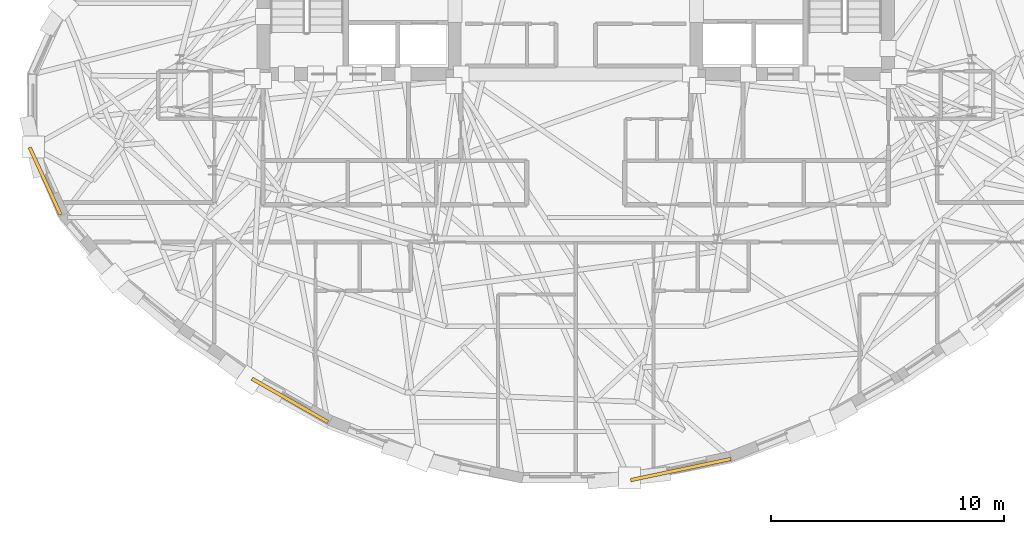
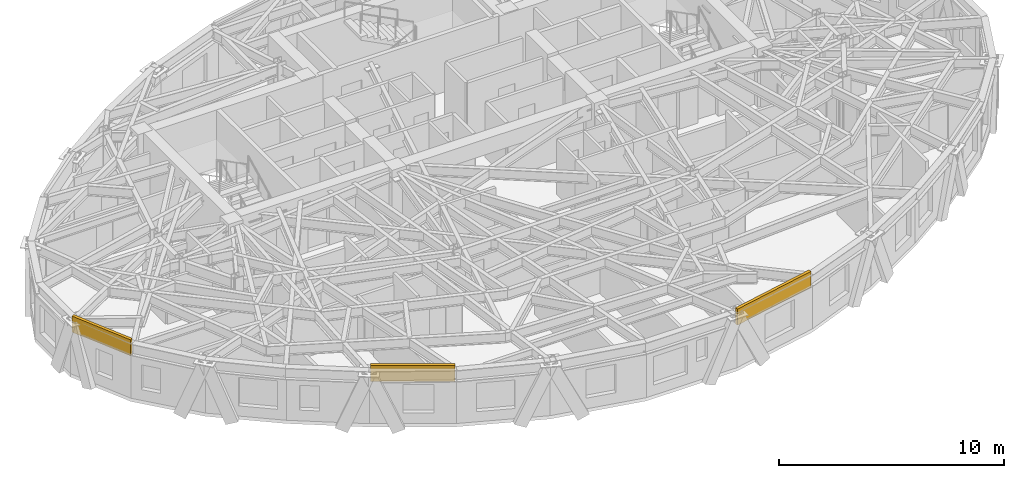
# One storey, part 12 of 14: 3 coverings.
"""IFC4 building model written with IfcOpenShell, lengths in metres."""

from ifc_helpers import new_model, si_unit, direction, frame, origin, origin_2d, place, context, subcontext, project, spatial, rectangle, extrude, material, layer, layer_set, type_object, element, save


model = new_model("IFC4")

# Units and contexts
model_context = context("Model", 3, precision=1e-05, world=origin(), true_north=direction((0.0, 1.0)))
body_context = subcontext(model_context, "Body", "Model", "MODEL_VIEW")
ifc_project = project(units=[si_unit("LENGTHUNIT", "METRE"), si_unit("AREAUNIT", "SQUARE_METRE"), si_unit("VOLUMEUNIT", "CUBIC_METRE"), si_unit("PLANEANGLEUNIT", "RADIAN"), si_unit("MASSUNIT", "GRAM", prefix="KILO")], contexts=[model_context])

# Site, building, storey
site_placement = place(None, origin())
site = spatial("IfcSite", under=ifc_project, at=site_placement, CompositionType="ELEMENT")
building_placement = place(site_placement, origin())
building = spatial("IfcBuilding", under=site, at=building_placement, Name="Keldmark Tower", CompositionType="ELEMENT")
storey_placement = place(building_placement, frame((0.0, 0.0, 213.14990234375)))
storey = spatial("IfcBuildingStorey", under=building, at=storey_placement, Name="L59", CompositionType="ELEMENT", Elevation=213.14990234375)

# Coverings
ifc_material = material(Name="Honed Kasota Buff Dolomitic Limestone", Category="masonry")
ifc_layer = layer(ifc_material, 0.074951171875)
ifc_layer_set = layer_set([ifc_layer], Name="Honed Kasota Buff Dolomitic Limestone")
covering_type = type_object("IfcCoveringType", Name="Kasota Buff Limestone Spandrel Cladding Band", PredefinedType="CLADDING", material=ifc_layer_set)
covering_1_placement = place(storey_placement, frame((-22.82080078125, -3.02978515625, 2.260009765625), z_axis=(0.0, 0.0, 1.0), x_axis=(0.417359601968, -0.908741416821, 0.0)))
element("IfcCovering", 1, at=covering_1_placement, inside=storey, type_object=covering_type, Name="L59 Kasota Limestone Spandrel Band 17", PredefinedType="CLADDING", context=body_context, shape_type="SweptSolid", body=[
    extrude(rectangle(XDim=3.177978515625, YDim=0.14990234375, at=origin_2d()), origin(), (0.0, 0.0, 1.0), 0.8701171875),
])
covering_2_placement = place(storey_placement, frame((-12.289306640625, -12.46337890625, 2.260009765625), z_axis=(0.0, 0.0, 1.0), x_axis=(0.868337350424, -0.495974037484, 0.0)))
element("IfcCovering", 2, at=covering_2_placement, inside=storey, type_object=covering_type, Name="L59 Kasota Limestone Spandrel Band 21", PredefinedType="CLADDING", context=body_context, shape_type="SweptSolid", body=[
    extrude(rectangle(XDim=3.765380859375, YDim=0.14990234375, at=origin_2d()), origin(), (0.0, 0.0, 1.0), 0.8701171875),
])
covering_3_placement = place(storey_placement, frame((4.511962890625, -15.438232421875, 2.260009765625), z_axis=(0.0, 0.0, 1.0), x_axis=(0.978400882716, 0.206716503214, 0.0)))
element("IfcCovering", 3, at=covering_3_placement, inside=storey, type_object=covering_type, Name="L59 Kasota Limestone Spandrel Band 25", PredefinedType="CLADDING", context=body_context, shape_type="SweptSolid", body=[
    extrude(rectangle(XDim=4.396484375, YDim=0.14990234375, at=origin_2d()), origin(), (0.0, 0.0, 1.0), 0.8701171875),
])

save(model, "model.ifc")
